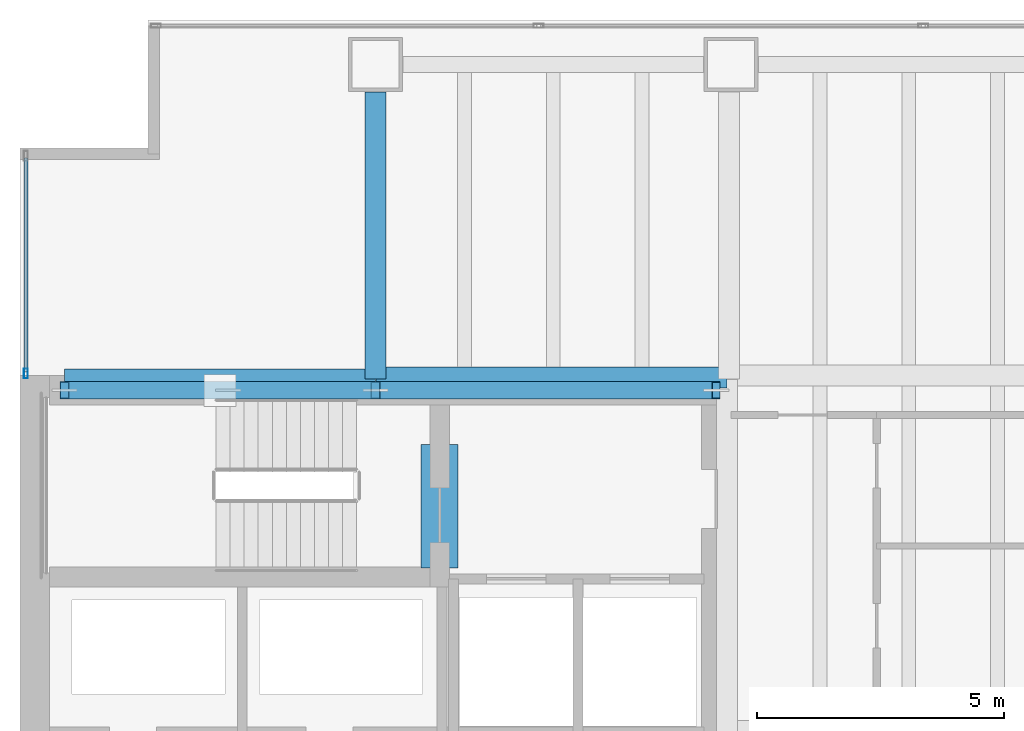
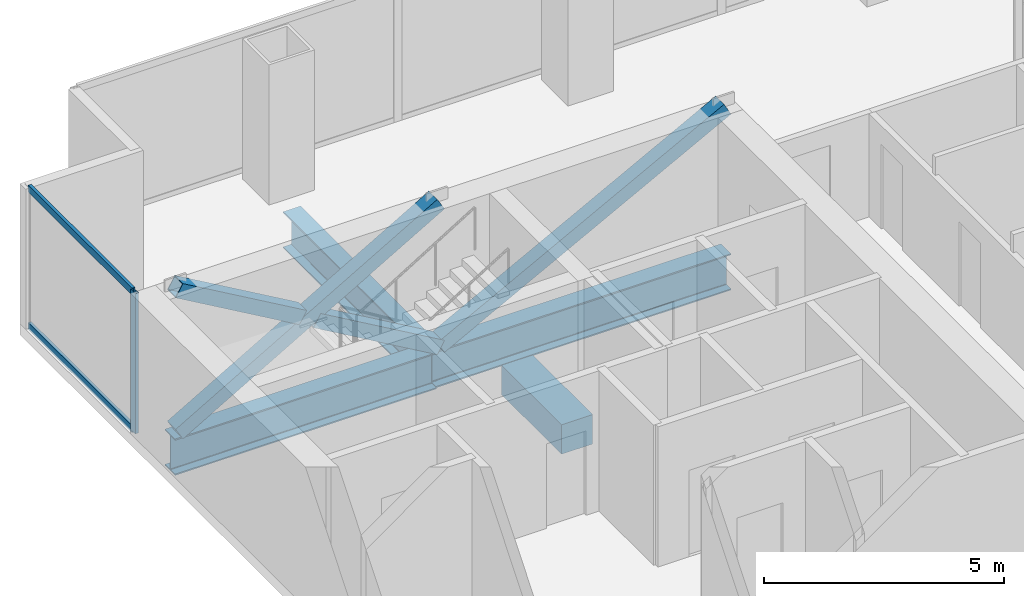
# One storey, part 14 of 23: 7 members, 4 beams, 1 element without a shape of its own.
"""IFC4 building model written with IfcOpenShell, lengths in metres."""

from ifc_helpers import new_model, si_unit, direction, frame, origin, origin_2d, place, context, subcontext, project, spatial, rectangle, hollow_rectangle, i_section, extrude, material, material_profile, profile_set, type_object, element, aggregate, save


model = new_model("IFC4")

# Units and contexts
model_context = context("Model", 3, precision=1e-05, world=origin(), true_north=direction((0.0, 1.0)))
body_context = subcontext(model_context, "Body", "Model", "MODEL_VIEW")
ifc_project = project(units=[si_unit("LENGTHUNIT", "METRE"), si_unit("AREAUNIT", "SQUARE_METRE"), si_unit("VOLUMEUNIT", "CUBIC_METRE"), si_unit("PLANEANGLEUNIT", "RADIAN"), si_unit("MASSUNIT", "GRAM", prefix="KILO")], contexts=[model_context])

# Site, building, storey
site_placement = place(None, origin())
site = spatial("IfcSite", under=ifc_project, at=site_placement, CompositionType="ELEMENT")
building_placement = place(site_placement, origin())
building = spatial("IfcBuilding", under=site, at=building_placement, Name="Cobrela Telecom Tower", CompositionType="ELEMENT")
storey_placement = place(building_placement, frame((0.0, 0.0, 38.85009765625)))
storey = spatial("IfcBuildingStorey", under=building, at=storey_placement, Name="L09", CompositionType="ELEMENT", Elevation=38.85009765625)

# Beams
ifc_material_1 = material(Name="Concrete C40/50", Category="concrete")
ifc_material_profile_1 = material_profile(ifc_material_1, rectangle(XDim=0.75, YDim=0.75, at=origin_2d()), Name="RC 750x750")
ifc_profile_set_1 = profile_set([ifc_material_profile_1], Name="Concrete C40/50")
beam_type_1 = type_object("IfcBeamType", Name="BM-COUP-RC", PredefinedType="LINTEL", material=ifc_profile_set_1)
beam_1_placement = place(storey_placement, frame((8.5, 32.10009765625, -0.630126953125), z_axis=(0.0, 1.0, 0.0), x_axis=(-1.0, 0.0, 0.0)))
element("IfcBeam", 1, at=beam_1_placement, inside=storey, type_object=beam_type_1, Name="L09 Core Coupling Lintel Beam", PredefinedType="LINTEL", context=body_context, shape_type="SweptSolid", body=[
    extrude(rectangle(XDim=0.75, YDim=0.75, at=origin_2d()), origin(), (0.0, 0.0, 1.0), 2.5),
])
ifc_material_2 = material(Name="Steel ASTM A992 Grade 50", Category="steel")
ifc_material_profile_2 = material_profile(ifc_material_2, i_section(OverallWidth=0.4189453125, OverallDepth=0.927001953125, WebThickness=0.019287109375, FlangeThickness=0.031982421875, FilletRadius=0.02392578125, at=origin_2d()), Name="W36X231")
ifc_profile_set_2 = profile_set([ifc_material_profile_2], Name="Steel ASTM A992 Grade 50")
beam_type_2 = type_object("IfcBeamType", Name="BM-GIRD-02", PredefinedType="USERDEFINED", material=ifc_profile_set_2)
beam_2_placement = place(storey_placement, frame((0.905029296875, 35.919921875, -0.74365234375), z_axis=(1.0, 0.0, 0.0), x_axis=(0.0, 1.0, 0.0)))
element("IfcBeam", 2, at=beam_2_placement, inside=storey, type_object=beam_type_2, Name="L09 Primary Girder X25", ObjectType="GIRDER", PredefinedType="USERDEFINED", context=body_context, shape_type="SweptSolid", body=[
    extrude(i_section(OverallWidth=0.4189453125, OverallDepth=0.927001953125, WebThickness=0.019287109375, FlangeThickness=0.031982421875, FilletRadius=0.02392578125, at=origin_2d()), origin(), (0.0, 0.0, 1.0), 6.2900390625),
])
beam_3_placement = place(storey_placement, frame((7.205078125, 35.9599609375, -0.74365234375), z_axis=(1.0, 0.0, 0.0), x_axis=(0.0, 1.0, 0.0)))
element("IfcBeam", 3, at=beam_3_placement, inside=storey, type_object=beam_type_2, Name="L09 Primary Girder X26", ObjectType="GIRDER", PredefinedType="USERDEFINED", context=body_context, shape_type="SweptSolid", body=[
    extrude(i_section(OverallWidth=0.4189453125, OverallDepth=0.927001953125, WebThickness=0.019287109375, FlangeThickness=0.031982421875, FilletRadius=0.02392578125, at=origin_2d()), origin(), (0.0, 0.0, 1.0), 7.10986328125),
])
beam_4_placement = place(storey_placement, frame((7.199951171875, 35.925048828125, -0.74365234375), z_axis=(0.0, 1.0, 0.0), x_axis=(-1.0, 0.0, 0.0)))
element("IfcBeam", 4, at=beam_4_placement, inside=storey, type_object=beam_type_2, Name="L09 Primary Girder Y33", ObjectType="GIRDER", PredefinedType="USERDEFINED", context=body_context, shape_type="SweptSolid", body=[
    extrude(i_section(OverallWidth=0.4189453125, OverallDepth=0.927001953125, WebThickness=0.019287109375, FlangeThickness=0.031982421875, FilletRadius=0.02392578125, at=origin_2d()), origin(), (0.0, 0.0, 1.0), 5.820068359375),
])

# Curtain wall, members
ifc_material_3 = material(Name="Anodized Bronze Aluminium 6063-T6", Category="aluminium")
curtain_wall_type = type_object("IfcCurtainWallType", Name="CW-SYS-DATA", PredefinedType="USERDEFINED", material=ifc_material_3)
curtain_wall_placement = place(storey_placement, origin())
curtain_wall = element("IfcCurtainWall", 5, at=curtain_wall_placement, inside=storey, type_object=curtain_wall_type, Name="L09 Unitised Bronze Curtain Wall 04", ObjectType="UNITISED CURTAIN WALL", PredefinedType="USERDEFINED")
ifc_material_profile_3 = material_profile(ifc_material_3, hollow_rectangle(XDim=0.080078125, YDim=0.199951171875, WallThickness=0.00390625, at=origin_2d()), Name="ALU 80x200x4")
ifc_profile_set_3 = profile_set([ifc_material_profile_3], Name="Anodized Bronze Aluminium 6063-T6")
member_type_1 = type_object("IfcMemberType", Name="CW-SYS-DATA-MUL", PredefinedType="MULLION", material=ifc_profile_set_3)
member_1_placement = place(storey_placement, frame((0.1201171875, 36.0400390625, 0.0), z_axis=(0.0, 0.0, 1.0), x_axis=(-1.0, 0.0, 0.0)))
member_1 = element("IfcMember", 6, at=member_1_placement, type_object=member_type_1, Name="CW-DATA mullion 1", PredefinedType="MULLION", context=body_context, shape_type="SweptSolid", body=[
    extrude(hollow_rectangle(XDim=0.080078125, YDim=0.199951171875, WallThickness=0.00390625, at=origin_2d()), origin(), (0.0, 0.0, 1.0), 3.56982421875),
])
ifc_material_profile_4 = material_profile(ifc_material_3, hollow_rectangle(XDim=0.074951171875, YDim=0.179931640625, WallThickness=0.00390625, at=origin_2d()), Name="ALU 75x180x4")
ifc_profile_set_4 = profile_set([ifc_material_profile_4], Name="Anodized Bronze Aluminium 6063-T6")
member_type_2 = type_object("IfcMemberType", Name="CW-SYS-DATA-TRN", PredefinedType="USERDEFINED", material=ifc_profile_set_4)
member_2_placement = place(storey_placement, frame((0.1201171875, 36.080078125, 0.037353515625), z_axis=(0.0, 1.0, 0.0), x_axis=(-1.0, 0.0, 0.0)))
member_2 = element("IfcMember", 7, at=member_2_placement, type_object=member_type_2, Name="CW-DATA transom 1.1", ObjectType="TRANSOM", PredefinedType="USERDEFINED", context=body_context, shape_type="SweptSolid", body=[
    extrude(hollow_rectangle(XDim=0.074951171875, YDim=0.179931640625, WallThickness=0.00390625, at=origin_2d()), origin(), (0.0, 0.0, 1.0), 4.329833984375),
])
member_3_placement = place(storey_placement, frame((0.1201171875, 36.080078125, 3.532470703125), z_axis=(0.0, 1.0, 0.0), x_axis=(-1.0, 0.0, 0.0)))
member_3 = element("IfcMember", 8, at=member_3_placement, type_object=member_type_2, Name="CW-DATA transom 1.2", ObjectType="TRANSOM", PredefinedType="USERDEFINED", context=body_context, shape_type="SweptSolid", body=[
    extrude(hollow_rectangle(XDim=0.074951171875, YDim=0.179931640625, WallThickness=0.00390625, at=origin_2d()), origin(), (0.0, 0.0, 1.0), 4.329833984375),
])
aggregate(curtain_wall, [member_1, member_2, member_3])

# Members
ifc_material_4 = material(Name="Steel ASTM A572 Grade 50", Category="steel")
ifc_material_profile_5 = material_profile(ifc_material_4, hollow_rectangle(XDim=0.35009765625, YDim=0.35009765625, WallThickness=0.01611328125, at=origin_2d()), Name="HSS 350x350x16")
ifc_profile_set_5 = profile_set([ifc_material_profile_5], Name="Steel ASTM A572 Grade 50")
member_type_3 = type_object("IfcMemberType", Name="MBR-EXO-02", PredefinedType="BRACE", material=ifc_profile_set_5)
member_4_placement = place(storey_placement, frame((0.89990234375, 35.699951171875, -0.0400390625), z_axis=(0.865277025542, 0.0, 0.501293994647), x_axis=(0.0, 1.0, 0.0)))
element("IfcMember", 9, at=member_4_placement, inside=storey, type_object=member_type_3, Name="L09 Core Flange Steel X-Brace Continuous A", PredefinedType="BRACE", context=body_context, shape_type="SweptSolid", body=[
    extrude(hollow_rectangle(XDim=0.35009765625, YDim=0.35009765625, WallThickness=0.01611328125, at=origin_2d()), origin(), (0.0, 0.0, 1.0), 7.281005859375),
])
for number, where, z_axis, x_axis, name in (
    (10, (7.199951171875, 35.699951171875, -0.0400390625), (-0.865296850073, 0.0, 0.501259774223), (0.0, -1.0, 0.0), "L09 Core Flange Steel X-Brace Split B1"),
    (11, (3.88037109375, 35.699951171875, 1.88330078125), (-0.865296850073, 0.0, 0.501259774223), (0.0, -1.0, 0.0), "L09 Core Flange Steel X-Brace Split B2"),
):
    element("IfcMember", number, at=place(storey_placement, frame(where, z_axis=z_axis, x_axis=x_axis)), inside=storey, type_object=member_type_3, Name=name, PredefinedType="BRACE", context=body_context, shape_type="SweptSolid", body=[
        extrude(hollow_rectangle(XDim=0.35009765625, YDim=0.35009765625, WallThickness=0.01611328125, at=origin_2d()), origin(), (0.0, 0.0, 1.0), 3.4443359375),
    ])
member_5_placement = place(storey_placement, frame((7.199951171875, 35.699951171875, -0.0400390625), z_axis=(0.883952947778, 0.0, 0.467575861348), x_axis=(0.0, 1.0, 0.0)))
element("IfcMember", 12, at=member_5_placement, inside=storey, type_object=member_type_3, Name="L09 Core Flange Steel Brace N2", PredefinedType="BRACE", context=body_context, shape_type="SweptSolid", body=[
    extrude(hollow_rectangle(XDim=0.35009765625, YDim=0.35009765625, WallThickness=0.01611328125, at=origin_2d()), origin(), (0.0, 0.0, 1.0), 7.805908203125),
])

save(model, "model.ifc")
